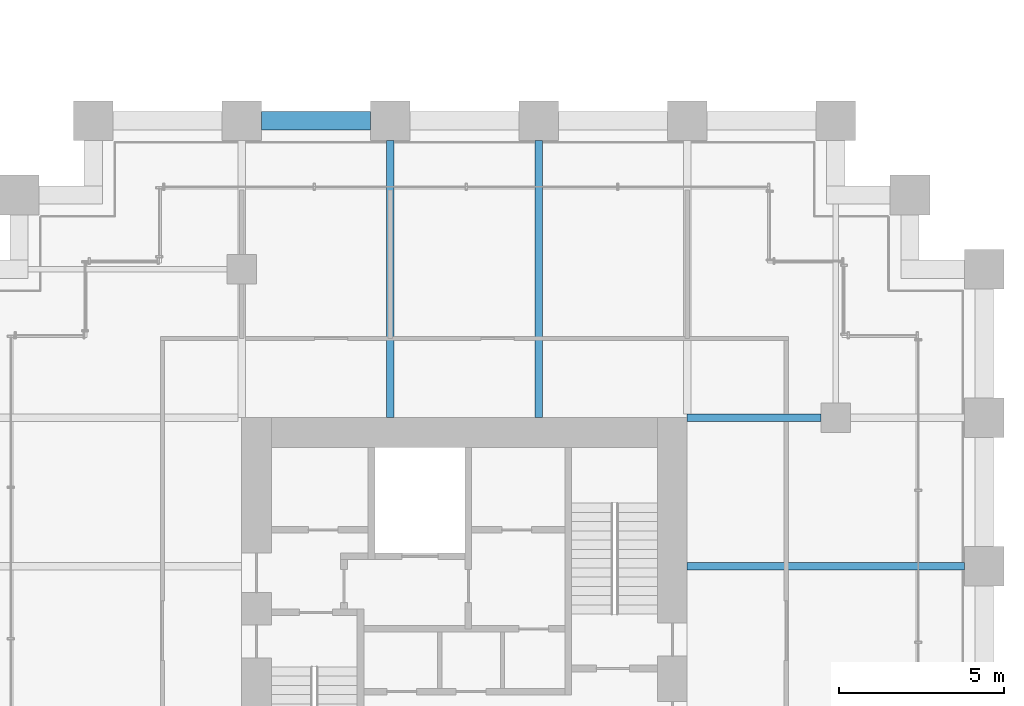
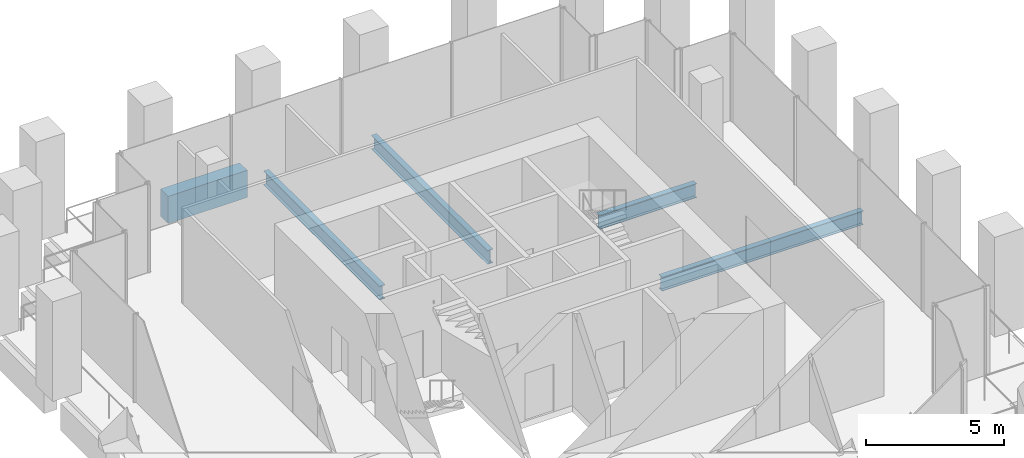
# One storey, part 24 of 36: 5 beams.
"""IFC4 building model written with IfcOpenShell, lengths in metres."""

from ifc_helpers import new_model, si_unit, direction, frame, origin, origin_2d, place, context, subcontext, project, spatial, rectangle, i_section, extrude, material, material_profile, profile_set, type_object, element, save


model = new_model("IFC4")

# Units and contexts
model_context = context("Model", 3, precision=1e-05, world=origin(), true_north=direction((0.0, 1.0)))
body_context = subcontext(model_context, "Body", "Model", "MODEL_VIEW")
ifc_project = project(units=[si_unit("LENGTHUNIT", "METRE"), si_unit("AREAUNIT", "SQUARE_METRE"), si_unit("VOLUMEUNIT", "CUBIC_METRE"), si_unit("PLANEANGLEUNIT", "RADIAN"), si_unit("MASSUNIT", "GRAM", prefix="KILO")], contexts=[model_context])

# Site, building, storey
site_placement = place(None, origin())
site = spatial("IfcSite", under=ifc_project, at=site_placement, CompositionType="ELEMENT")
building_placement = place(site_placement, origin())
building = spatial("IfcBuilding", under=site, at=building_placement, Name="Altepetl Exchange Towers", CompositionType="ELEMENT")
storey_placement = place(building_placement, frame((0.0, 0.0, 29.800048828125)))
storey = spatial("IfcBuildingStorey", under=building, at=storey_placement, Name="L06", CompositionType="ELEMENT", Elevation=29.800048828125)

# Beams
ifc_material_1 = material(Name="Steel S355", Category="steel")
ifc_material_profile_1 = material_profile(ifc_material_1, i_section(OverallWidth=0.22900390625, OverallDepth=0.612060546875, WebThickness=0.011962890625, FlangeThickness=0.01953125, at=origin_2d()), Name="W24X84")
ifc_profile_set_1 = profile_set([ifc_material_profile_1], Name="Steel S355")
beam_type_1 = type_object("IfcBeamType", Name="Floor beam W24X84", PredefinedType="BEAM", material=ifc_profile_set_1)
for number, where, z_axis, x_axis, name in (
    (1, (108.0, 49.5, -0.48095703125), (0.0, 1.0, 0.0), (-1.0, 0.0, 0.0), "bm:B:L06:000"),
    (2, (112.5, 49.5, -0.48095703125), (0.0, 1.0, 0.0), (-1.0, 0.0, 0.0), "bm:B:L06:001"),
    (3, (117.0, 45.0, -0.48095703125), (1.0, 0.0, 0.0), (0.0, 1.0, 0.0), "bm:B:L06:007"),
):
    element("IfcBeam", number, at=place(storey_placement, frame(where, z_axis=z_axis, x_axis=x_axis)), inside=storey, type_object=beam_type_1, Name=name, PredefinedType="BEAM", context=body_context, shape_type="SweptSolid", body=[
        extrude(i_section(OverallWidth=0.22900390625, OverallDepth=0.612060546875, WebThickness=0.011962890625, FlangeThickness=0.01953125, at=origin_2d()), origin(), (0.0, 0.0, 1.0), 8.39990234375),
    ])
ifc_material_profile_2 = material_profile(ifc_material_1, i_section(OverallWidth=0.22900390625, OverallDepth=0.623046875, WebThickness=0.013916015625, FlangeThickness=0.02490234375, at=origin_2d()), Name="W24X103")
ifc_profile_set_2 = profile_set([ifc_material_profile_2], Name="Steel S355")
beam_type_2 = type_object("IfcBeamType", Name="Girder W24X103", PredefinedType="BEAM", material=ifc_profile_set_2)
beam_1_placement = place(storey_placement, frame((117.0, 49.5, -0.486572265625), z_axis=(1.0, 0.0, 0.0), x_axis=(0.0, 1.0, 0.0)))
element("IfcBeam", 4, at=beam_1_placement, inside=storey, type_object=beam_type_2, Name="gd:B:L06:000", PredefinedType="BEAM", context=body_context, shape_type="SweptSolid", body=[
    extrude(i_section(OverallWidth=0.22900390625, OverallDepth=0.623046875, WebThickness=0.013916015625, FlangeThickness=0.02490234375, at=origin_2d()), origin(), (0.0, 0.0, 1.0), 4.050048828125),
])
ifc_material_2 = material(Name="Concrete C50/60 precast with cantera amarilla facing", Category="concrete")
ifc_material_profile_3 = material_profile(ifc_material_2, rectangle(XDim=0.550048828125, YDim=1.199951171875, at=origin_2d()), Name="550 x 1200")
ifc_profile_set_3 = profile_set([ifc_material_profile_3], Name="Concrete C50/60 precast with cantera amarilla facing")
beam_type_3 = type_object("IfcBeamType", Name="Spandrel beam 550x1200 cantera amarilla", PredefinedType="SPANDREL", material=ifc_profile_set_3)
beam_2_placement = place(storey_placement, frame((107.39990234375, 58.5, -0.775146484375), z_axis=(-1.0, 0.0, 0.0), x_axis=(0.0, -1.0, 0.0)))
element("IfcBeam", 5, at=beam_2_placement, inside=storey, type_object=beam_type_3, Name="sp:B:L06:021", PredefinedType="SPANDREL", context=body_context, shape_type="SweptSolid", body=[
    extrude(rectangle(XDim=0.550048828125, YDim=1.199951171875, at=origin_2d()), origin(), (0.0, 0.0, 1.0), 3.2998046875),
])

save(model, "model.ifc")
